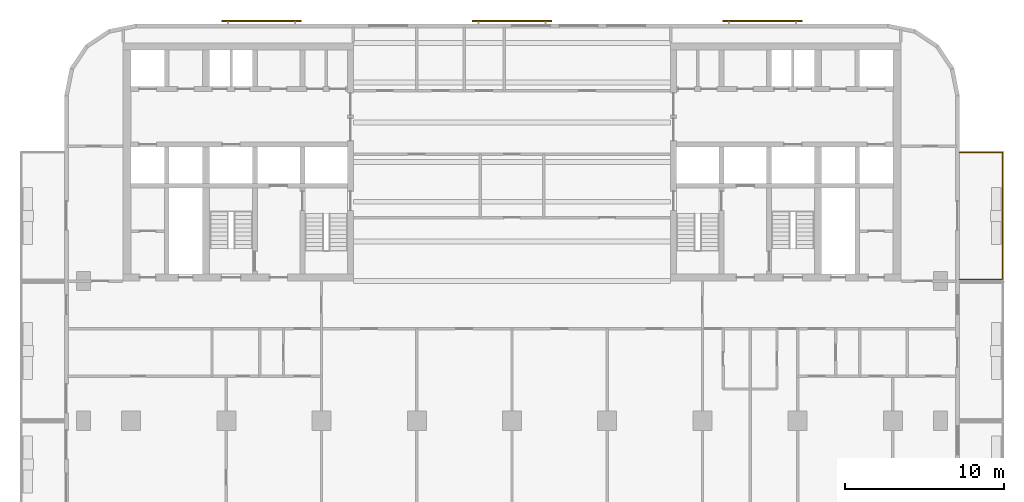
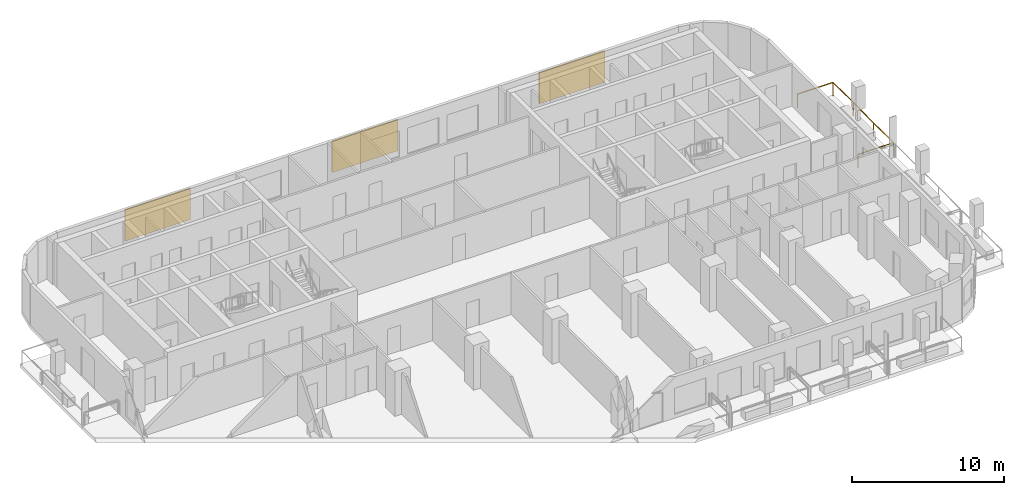
# One storey, part 11 of 12: 3 shading devices, 1 railing.
"""IFC4 building model written with IfcOpenShell, lengths in metres."""

from ifc_helpers import new_model, si_unit, direction, frame, origin, origin_2d, place, context, subcontext, project, spatial, rectangle, circle, extrude, material, layer, layer_set, type_object, element, save


model = new_model("IFC4")

# Units and contexts
model_context = context("Model", 3, precision=1e-05, world=origin(), true_north=direction((0.0, 1.0)))
body_context = subcontext(model_context, "Body", "Model", "MODEL_VIEW")
ifc_project = project(units=[si_unit("LENGTHUNIT", "METRE"), si_unit("AREAUNIT", "SQUARE_METRE"), si_unit("VOLUMEUNIT", "CUBIC_METRE"), si_unit("PLANEANGLEUNIT", "RADIAN"), si_unit("MASSUNIT", "GRAM", prefix="KILO")], contexts=[model_context])

# Site, building, storey
site_placement = place(None, origin())
site = spatial("IfcSite", under=ifc_project, at=site_placement, CompositionType="ELEMENT")
building_placement = place(site_placement, origin())
building = spatial("IfcBuilding", under=site, at=building_placement, Name="Torana Hotel and Residences", CompositionType="ELEMENT")
storey_placement = place(building_placement, frame((0.0, 0.0, 159.60009765625)))
storey = spatial("IfcBuildingStorey", under=building, at=storey_placement, Name="L41", CompositionType="ELEMENT", Elevation=159.60009765625)

# Railing
ifc_material_1 = material(Name="Laminated glass balustrade with black handrail", Category="glass")
railing_type = type_object("IfcRailingType", Name="GR1 BALCONY GUARD 1100 GLASS", PredefinedType="GUARDRAIL", material=ifc_material_1)
railing_placement = place(storey_placement, frame((28.199951171875, -6.89990234375, 0.0)))
element("IfcRailing", 1, at=railing_placement, inside=storey, type_object=railing_type, Name="Balcony guard 14", PredefinedType="GUARDRAIL", context=body_context, shape_type="SweptSolid", body=[
    extrude(circle(Radius=0.02392578125, at=origin_2d()), frame((0.0, 0.0, 1.076171875), z_axis=(1.0, 0.0, 0.0), x_axis=(0.0, 1.0, 0.0)), (0.0, 0.0, 1.0), 2.699951171875),
    extrude(circle(Radius=0.02392578125, at=origin_2d()), frame((2.699951171875, 0.0, 1.076171875), z_axis=(0.0, -1.0, 0.0), x_axis=(1.0, 0.0, 0.0)), (0.0, 0.0, 1.0), 8.0),
    extrude(circle(Radius=0.02392578125, at=origin_2d()), frame((2.699951171875, -8.0, 1.076171875), z_axis=(-1.0, 0.0, 0.0), x_axis=(0.0, -1.0, 0.0)), (0.0, 0.0, 1.0), 2.699951171875),
    extrude(circle(Radius=0.02099609375, at=origin_2d()), origin(), (0.0, 0.0, 1.0), 1.052001953125),
    extrude(circle(Radius=0.02099609375, at=origin_2d()), frame((2.699951171875, 0.0, 0.0)), (0.0, 0.0, 1.0), 1.052001953125),
    extrude(circle(Radius=0.02099609375, at=origin_2d()), frame((2.699951171875, -2.666748046875, 0.0)), (0.0, 0.0, 1.0), 1.052001953125),
    extrude(circle(Radius=0.02099609375, at=origin_2d()), frame((2.699951171875, -5.333251953125, 0.0)), (0.0, 0.0, 1.0), 1.052001953125),
    extrude(circle(Radius=0.02099609375, at=origin_2d()), frame((2.699951171875, -8.0, 0.0)), (0.0, 0.0, 1.0), 1.052001953125),
    extrude(circle(Radius=0.02099609375, at=origin_2d()), frame((0.0, -8.0, 0.0)), (0.0, 0.0, 1.0), 1.052001953125),
])

# Shading devices
ifc_material_2 = material(Name="Concrete C40/50 precast", Category="concrete")
ifc_layer = layer(ifc_material_2, 0.10009765625)
ifc_layer_set = layer_set([ifc_layer], Name="SC1 PERFORATED BLOCK SCREEN PANEL 100")
shading_device_type = type_object("IfcShadingDeviceType", Name="SC1 PERFORATED BLOCK SCREEN PANEL 100", PredefinedType="USERDEFINED", material=ifc_layer_set)
for number, where, z_axis, x_axis, name in (
    (2, (15.78369140625, 1.39990234375, 0.5), (0.0, 0.0, 1.0), (-1.0, 0.0, 0.0), "Perforated block screen L41"),
    (3, (0.0, 1.39990234375, 0.5), (0.0, 0.0, 1.0), (-1.0, 0.0, 0.0), "Perforated block screen L41"),
    (4, (-15.78369140625, 1.39990234375, 0.5), (0.0, 0.0, 1.0), (-1.0, 0.0, 0.0), "Perforated block screen L41"),
):
    element("IfcShadingDevice", number, at=place(storey_placement, frame(where, z_axis=z_axis, x_axis=x_axis)), inside=storey, type_object=shading_device_type, Name=name, ObjectType="SCREEN", PredefinedType="USERDEFINED", context=body_context, shape_type="SweptSolid", body=[
        extrude(rectangle(XDim=5.0, YDim=0.10009765625, at=origin_2d()), origin(), (0.0, 0.0, 1.0), 2.52001953125),
    ])

save(model, "model.ifc")
